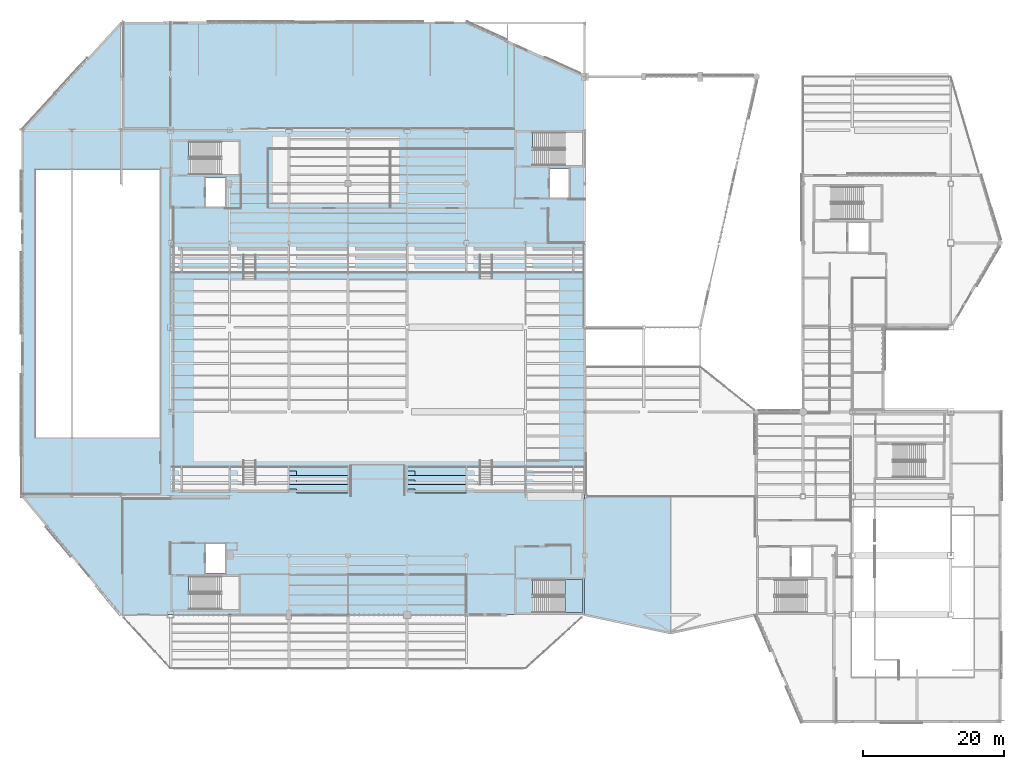
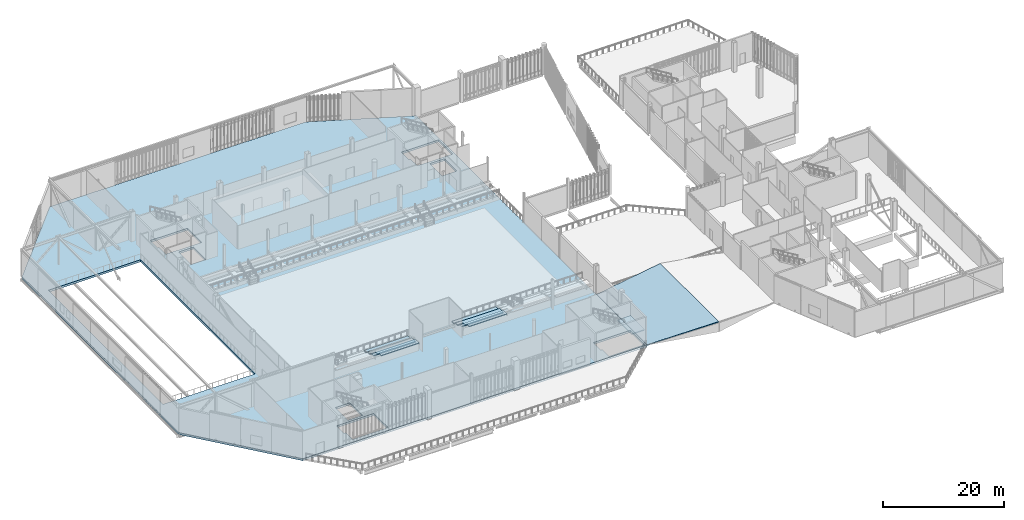
# One storey, part 69 of 135: 9 slabs, 1 element without a shape of its own.
"""IFC4 building model written with IfcOpenShell, lengths in metres."""

from ifc_helpers import new_model, si_unit, direction, frame, origin, place, context, subcontext, project, spatial, polyline, outline, extrude, material, layer, layer_set, type_object, element, aggregate, save


model = new_model("IFC4")

# Units and contexts
model_context = context("Model", 3, precision=1e-05, world=origin(), true_north=direction((0.0, 1.0)))
body_context = subcontext(model_context, "Body", "Model", "MODEL_VIEW")
ifc_project = project(units=[si_unit("LENGTHUNIT", "METRE"), si_unit("AREAUNIT", "SQUARE_METRE"), si_unit("VOLUMEUNIT", "CUBIC_METRE"), si_unit("PLANEANGLEUNIT", "RADIAN"), si_unit("MASSUNIT", "GRAM", prefix="KILO")], contexts=[model_context])

# Site, building, storey
site_placement = place(None, origin())
site = spatial("IfcSite", under=ifc_project, at=site_placement, CompositionType="ELEMENT")
building_placement = place(site_placement, origin())
building = spatial("IfcBuilding", under=site, at=building_placement, Name="Larkvane Passage Sports Hall", CompositionType="ELEMENT")
storey_placement = place(building_placement, frame((0.0, 0.0, 10.800048828125)))
storey = spatial("IfcBuildingStorey", under=building, at=storey_placement, Name="L02", CompositionType="ELEMENT", Elevation=10.800048828125)

# Slabs
ifc_material_1 = material(Name="Concrete C50/60", Category="concrete")
ifc_layer_1 = layer(ifc_material_1, 0.419921875)
ifc_layer_set_1 = layer_set([ifc_layer_1], Name="Concrete C50/60")
slab_type_1 = type_object("IfcSlabType", Name="SLB-FLR-350", PredefinedType="FLOOR", material=ifc_layer_set_1)
slab_1_placement = place(storey_placement, frame((0.0, 0.0, -0.420166015625)))
element("IfcSlab", 1, at=slab_1_placement, inside=storey, type_object=slab_type_1, Name="Structural floor slab SLAB-L02-ARENA", PredefinedType="FLOOR", context=body_context, shape_type="SweptSolid", body=[
    extrude(outline(polyline([(13.800048828125, 39.60009765625), (27.800048828125, 22.800048828125), (93.60009765625, 22.800048828125), (93.60009765625, 99.199951171875), (76.800048828125, 106.800048828125), (27.800048828125, 106.800048828125), (13.800048828125, 91.60009765625), (13.800048828125, 39.60009765625)]), holes=[polyline([(37.679931640625, 23.550048828125), (37.679931640625, 25.800048828125), (37.380615234375, 25.800048828125), (37.380615234375, 28.25), (44.5, 28.25), (44.5, 23.550048828125), (37.679931640625, 23.550048828125)]), polyline([(37.679931640625, 85.300048828125), (37.679931640625, 87.550048828125), (37.380615234375, 87.550048828125), (37.380615234375, 90.0), (44.5, 90.0), (44.5, 85.300048828125), (37.679931640625, 85.300048828125)]), polyline([(86.47998046875, 86.60009765625), (86.47998046875, 88.85009765625), (86.180419921875, 88.85009765625), (86.180419921875, 91.300048828125), (93.300048828125, 91.300048828125), (93.300048828125, 86.60009765625), (86.47998046875, 86.60009765625)]), polyline([(86.47998046875, 23.10009765625), (86.47998046875, 25.35009765625), (86.180419921875, 25.35009765625), (86.180419921875, 27.800048828125), (93.300048828125, 27.800048828125), (93.300048828125, 23.10009765625), (86.47998046875, 23.10009765625)]), polyline([(39.800048828125, 32.89990234375), (42.60009765625, 32.89990234375), (42.60009765625, 28.75), (39.800048828125, 28.75), (39.800048828125, 32.89990234375)]), polyline([(39.800048828125, 84.800048828125), (42.60009765625, 84.800048828125), (42.60009765625, 80.699951171875), (39.800048828125, 80.699951171875), (39.800048828125, 84.800048828125)]), polyline([(88.60009765625, 86.10009765625), (91.39990234375, 86.10009765625), (91.39990234375, 82.0), (88.60009765625, 82.0), (88.60009765625, 86.10009765625)]), polyline([(15.60009765625, 86.0), (33.199951171875, 86.0), (33.199951171875, 48.0), (15.60009765625, 48.0), (15.60009765625, 86.0)])]), origin(), (0.0, 0.0, 1.0), 0.420166015625),
])
ifc_material_2 = material(Name="Precast concrete C45/55", Category="concrete")
ifc_layer_2 = layer(ifc_material_2, 0.179931640625)
ifc_layer_set_2 = layer_set([ifc_layer_2], Name="Precast concrete C45/55")
slab_type_2 = type_object("IfcSlabType", Name="SLB-FRP-180", PredefinedType="ROOF", material=ifc_layer_set_2)
slab_2_placement = place(storey_placement, frame((93.60009765625, 22.800048828125, 0.0), z_axis=(-0.161775657597, 0.0, 0.98682756174), x_axis=(0.965700773023, -0.205813636563, 0.158312235749)))
element("IfcSlab", 2, at=slab_2_placement, inside=storey, type_object=slab_type_2, Name="Entrance foyer pavilion west canopy fold", PredefinedType="ROOF", context=body_context, shape_type="SweptSolid", body=[
    extrude(outline(polyline([(0.0, 0.0), (12.633262303070056, 0.0), (8.640447605264571, 18.984812730290393), (-3.457679143753558, 16.440380031077016), (0.0, 0.0)])), origin(), (0.0, 0.0, -1.0), 0.179931640625),
])

# Stair, slab
ifc_material_3 = material(Name="Concrete C40/50", Category="concrete")
stair_type = type_object("IfcStairType", Name="STR-CORE-2250", PredefinedType="HALF_TURN_STAIR", material=ifc_material_3)
stair_placement = place(storey_placement, origin())
stair = element("IfcStair", 3, at=stair_placement, inside=storey, type_object=stair_type, Name="L02 Protected exit stair ST-04", PredefinedType="HALF_TURN_STAIR")
ifc_layer_3 = layer(ifc_material_3, 0.199951171875)
ifc_layer_set_3 = layer_set([ifc_layer_3], Name="Concrete C40/50")
slab_type_3 = type_object("IfcSlabType", Name="SLB-LAND-200", PredefinedType="LANDING", material=ifc_layer_set_3)
slab_3_placement = place(storey_placement, frame((0.0, 0.0, 2.800048828125)))
slab_3 = element("IfcSlab", 4, at=slab_3_placement, type_object=slab_type_3, Name="ST-04 landing 1", PredefinedType="LANDING", context=body_context, shape_type="SweptSolid", body=[
    extrude(outline(polyline([(90.820068359375, 23.10009765625), (93.300048828125, 23.10009765625), (93.300048828125, 27.800048828125), (90.820068359375, 27.800048828125), (90.820068359375, 23.10009765625)])), origin(), (0.0, 0.0, 1.0), 0.199951171875),
])
aggregate(stair, [slab_3])

# Slabs
ifc_layer_4 = layer(ifc_material_2, 0.159912109375)
ifc_layer_set_4 = layer_set([ifc_layer_4], Name="Precast concrete C45/55")
slab_type_4 = type_object("IfcSlabType", Name="SLB-TIER-160", PredefinedType="USERDEFINED", material=ifc_layer_set_4)
slab_4_placement = place(storey_placement, frame((0.0, 0.0, 0.68994140625)))
element("IfcSlab", 5, at=slab_4_placement, inside=storey, type_object=slab_type_4, Name="Spectator Stand Tier S3-1", ObjectType="SEATING TIER", PredefinedType="USERDEFINED", context=body_context, shape_type="SweptSolid", body=[
    extrude(outline(polyline([(52.699951171875, 42.550048828125), (60.0, 42.550048828125), (60.0, 43.800048828125), (51.60009765625, 43.800048828125), (51.60009765625, 43.175048828125), (52.699951171875, 43.175048828125), (52.699951171875, 42.550048828125)])), origin(), (0.0, 0.0, 1.0), 0.159912109375),
])
slab_5_placement = place(storey_placement, frame((0.0, 0.0, 1.530029296875)))
element("IfcSlab", 6, at=slab_5_placement, inside=storey, type_object=slab_type_4, Name="Spectator Stand Tier S3-3", ObjectType="SEATING TIER", PredefinedType="USERDEFINED", context=body_context, shape_type="SweptSolid", body=[
    extrude(outline(polyline([(52.699951171875, 40.050048828125), (60.0, 40.050048828125), (60.0, 41.300048828125), (51.60009765625, 41.300048828125), (51.60009765625, 40.675048828125), (52.699951171875, 40.675048828125), (52.699951171875, 40.050048828125)])), origin(), (0.0, 0.0, 1.0), 0.159912109375),
])
slab_6_placement = place(storey_placement, frame((0.0, 0.0, 0.68994140625)))
element("IfcSlab", 7, at=slab_6_placement, inside=storey, type_object=slab_type_4, Name="Spectator Stand Tier S5-1", ObjectType="SEATING TIER", PredefinedType="USERDEFINED", context=body_context, shape_type="SweptSolid", body=[
    extrude(outline(polyline([(69.5, 42.550048828125), (76.800048828125, 42.550048828125), (76.800048828125, 43.800048828125), (68.39990234375, 43.800048828125), (68.39990234375, 43.175048828125), (69.5, 43.175048828125), (69.5, 42.550048828125)])), origin(), (0.0, 0.0, 1.0), 0.159912109375),
])
slab_7_placement = place(storey_placement, frame((0.0, 0.0, 1.530029296875)))
element("IfcSlab", 8, at=slab_7_placement, inside=storey, type_object=slab_type_4, Name="Spectator Stand Tier S5-3", ObjectType="SEATING TIER", PredefinedType="USERDEFINED", context=body_context, shape_type="SweptSolid", body=[
    extrude(outline(polyline([(69.5, 40.050048828125), (76.800048828125, 40.050048828125), (76.800048828125, 41.300048828125), (68.39990234375, 41.300048828125), (68.39990234375, 40.675048828125), (69.5, 40.675048828125), (69.5, 40.050048828125)])), origin(), (0.0, 0.0, 1.0), 0.159912109375),
])
ifc_layer_5 = layer(ifc_material_2, 0.205078125)
ifc_layer_set_5 = layer_set([ifc_layer_5], Name="Precast concrete C45/55")
slab_type_5 = type_object("IfcSlabType", Name="SLB-TIER-205", PredefinedType="USERDEFINED", material=ifc_layer_set_5)
slab_8_placement = place(storey_placement, frame((0.0, 0.0, 1.06494140625)))
element("IfcSlab", 9, at=slab_8_placement, inside=storey, type_object=slab_type_5, Name="Spectator Stand Tier S3-2", ObjectType="SEATING TIER", PredefinedType="USERDEFINED", context=body_context, shape_type="SweptSolid", body=[
    extrude(outline(polyline([(52.699951171875, 41.300048828125), (60.0, 41.300048828125), (60.0, 42.550048828125), (51.60009765625, 42.550048828125), (51.60009765625, 41.925048828125), (52.699951171875, 41.925048828125), (52.699951171875, 41.300048828125)])), origin(), (0.0, 0.0, 1.0), 0.205078125),
])
slab_9_placement = place(storey_placement, frame((0.0, 0.0, 1.06494140625)))
element("IfcSlab", 10, at=slab_9_placement, inside=storey, type_object=slab_type_5, Name="Spectator Stand Tier S5-2", ObjectType="SEATING TIER", PredefinedType="USERDEFINED", context=body_context, shape_type="SweptSolid", body=[
    extrude(outline(polyline([(69.5, 41.300048828125), (76.800048828125, 41.300048828125), (76.800048828125, 42.550048828125), (68.39990234375, 42.550048828125), (68.39990234375, 41.925048828125), (69.5, 41.925048828125), (69.5, 41.300048828125)])), origin(), (0.0, 0.0, 1.0), 0.205078125),
])

save(model, "model.ifc")
